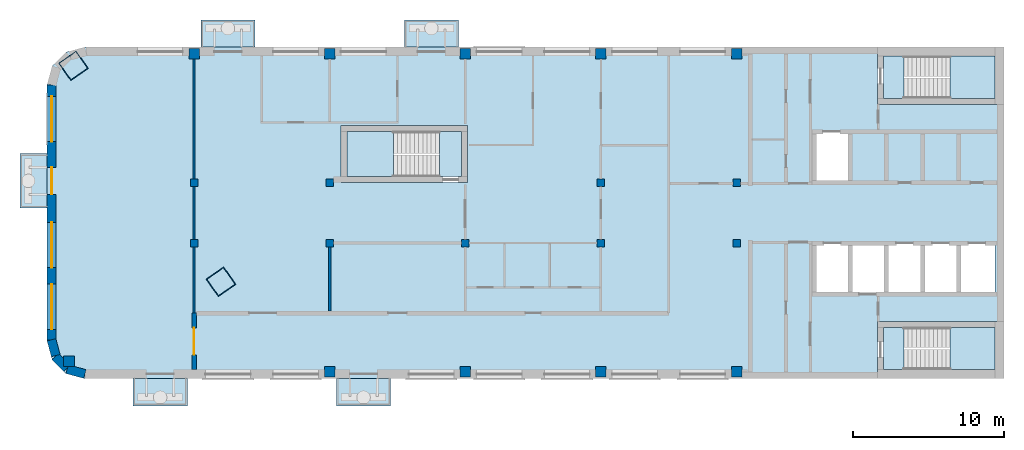
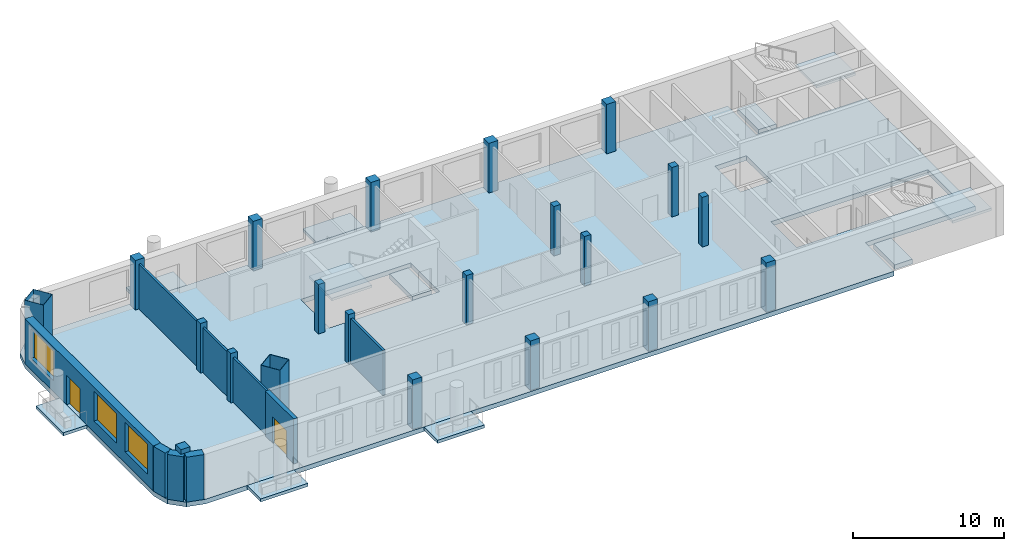
# One storey, part 1 of 8: 21 columns, 12 slabs, 7 walls, 3 windows, 2 doors, 5 openings, 3 elements without a shape of their own.
"""IFC4 building model written with IfcOpenShell, lengths in metres."""

from ifc_helpers import new_model, si_unit, direction, frame, frame_2d, origin, origin_2d, place, context, subcontext, project, spatial, polyline, rectangle, hollow_rectangle, outline, extrude, material, layer, layer_set, material_profile, profile_set, type_object, element, fill, aggregate, save


model = new_model("IFC4")

# Units and contexts
model_context = context("Model", 3, precision=1e-05, world=origin(), true_north=direction((0.0, 1.0)))
body_context = subcontext(model_context, "Body", "Model", "MODEL_VIEW")
ifc_project = project(units=[si_unit("LENGTHUNIT", "METRE"), si_unit("AREAUNIT", "SQUARE_METRE"), si_unit("VOLUMEUNIT", "CUBIC_METRE"), si_unit("PLANEANGLEUNIT", "RADIAN"), si_unit("MASSUNIT", "GRAM", prefix="KILO")], contexts=[model_context])

# Site, building, storey
site_placement = place(None, origin())
site = spatial("IfcSite", under=ifc_project, at=site_placement, CompositionType="ELEMENT")
building_placement = place(site_placement, origin())
building = spatial("IfcBuilding", under=site, at=building_placement, Name="Skarvind Civic Tower", CompositionType="ELEMENT")
storey_placement = place(building_placement, frame((0.0, 0.0, 253.5)))
storey = spatial("IfcBuildingStorey", under=building, at=storey_placement, Name="L60", CompositionType="ELEMENT", Elevation=253.5)

# Columns
ifc_material_1 = material(Name="Concrete C60", Category="concrete")
ifc_material_profile_1 = material_profile(ifc_material_1, rectangle(XDim=0.5, YDim=0.5, at=origin_2d()), Name="RC-500x500")
ifc_profile_set_1 = profile_set([ifc_material_profile_1], Name="Concrete C60")
column_type_1 = type_object("IfcColumnType", Name="Column RC-500x500 C60", PredefinedType="COLUMN", material=ifc_profile_set_1)
for number, where, z_axis, x_axis, name in (
    (1, (54.25, 130.0, 0.0), (0.0, 0.0, 1.0), (1.0, 0.0, 0.0), "Column wing 1 north inner 02 L60"),
    (2, (63.25, 130.0, 0.0), (0.0, 0.0, 1.0), (1.0, 0.0, 0.0), "Column wing 1 north inner 03 L60"),
    (3, (81.25, 130.0, 0.0), (0.0, 0.0, 1.0), (1.0, 0.0, 0.0), "Column wing 1 north inner 05 L60"),
    (4, (90.25, 130.0, 0.0), (0.0, 0.0, 1.0), (1.0, 0.0, 0.0), "Column wing 1 north inner 06 L60"),
    (5, (54.25, 126.0, 0.0), (0.0, 0.0, 1.0), (1.0, 0.0, 0.0), "Column wing 1 south inner 02 L60"),
    (6, (63.25, 126.0, 0.0), (0.0, 0.0, 1.0), (1.0, 0.0, 0.0), "Column wing 1 south inner 03 L60"),
    (7, (72.25, 126.0, 0.0), (0.0, 0.0, 1.0), (1.0, 0.0, 0.0), "Column wing 1 south inner 04 L60"),
    (8, (81.25, 126.0, 0.0), (0.0, 0.0, 1.0), (1.0, 0.0, 0.0), "Column wing 1 south inner 05 L60"),
    (9, (90.25, 126.0, 0.0), (0.0, 0.0, 1.0), (1.0, 0.0, 0.0), "Column wing 1 south inner 06 L60"),
):
    element("IfcColumn", number, at=place(storey_placement, frame(where, z_axis=z_axis, x_axis=x_axis)), inside=storey, type_object=column_type_1, Name=name, PredefinedType="COLUMN", context=body_context, shape_type="SweptSolid", body=[
        extrude(rectangle(XDim=0.5, YDim=0.5, at=origin_2d()), origin(), (0.0, 0.0, 1.0), 4.0),
    ])
ifc_material_profile_2 = material_profile(ifc_material_1, rectangle(XDim=0.699951171875, YDim=0.699951171875, at=origin_2d()), Name="RC-700x700")
ifc_profile_set_2 = profile_set([ifc_material_profile_2], Name="Concrete C60")
column_type_2 = type_object("IfcColumnType", Name="Column RC-700x700 C60", PredefinedType="COLUMN", material=ifc_profile_set_2)
for number, where, z_axis, x_axis, name in (
    (10, (54.25, 138.550048828125, 0.0), (0.0, 0.0, 1.0), (1.0, 0.0, 0.0), "Column wing 1 north perimeter 02 L60"),
    (11, (63.25, 138.550048828125, 0.0), (0.0, 0.0, 1.0), (1.0, 0.0, 0.0), "Column wing 1 north perimeter 03 L60"),
    (12, (72.25, 138.550048828125, 0.0), (0.0, 0.0, 1.0), (1.0, 0.0, 0.0), "Column wing 1 north perimeter 04 L60"),
    (13, (81.25, 138.550048828125, 0.0), (0.0, 0.0, 1.0), (1.0, 0.0, 0.0), "Column wing 1 north perimeter 05 L60"),
    (14, (90.25, 138.550048828125, 0.0), (0.0, 0.0, 1.0), (1.0, 0.0, 0.0), "Column wing 1 north perimeter 06 L60"),
    (15, (45.95166015625, 118.151611328125, 0.0), (0.0, 0.0, 1.0), (1.0, 0.0, 0.0), "Column wing 1 south perimeter 01 L60"),
    (16, (63.25, 117.449951171875, 0.0), (0.0, 0.0, 1.0), (1.0, 0.0, 0.0), "Column wing 1 south perimeter 03 L60"),
    (17, (72.25, 117.449951171875, 0.0), (0.0, 0.0, 1.0), (1.0, 0.0, 0.0), "Column wing 1 south perimeter 04 L60"),
    (18, (81.25, 117.449951171875, 0.0), (0.0, 0.0, 1.0), (1.0, 0.0, 0.0), "Column wing 1 south perimeter 05 L60"),
    (19, (90.25, 117.449951171875, 0.0), (0.0, 0.0, 1.0), (1.0, 0.0, 0.0), "Column wing 1 south perimeter 06 L60"),
):
    element("IfcColumn", number, at=place(storey_placement, frame(where, z_axis=z_axis, x_axis=x_axis)), inside=storey, type_object=column_type_2, Name=name, PredefinedType="COLUMN", context=body_context, shape_type="SweptSolid", body=[
        extrude(rectangle(XDim=0.699951171875, YDim=0.699951171875, at=origin_2d()), origin(), (0.0, 0.0, 1.0), 4.0),
    ])
ifc_material_2 = material(Name="Composite concrete-filled steel tube, Steel SM355 with Concrete C60", Category="concrete")
ifc_material_profile_3 = material_profile(ifc_material_2, hollow_rectangle(XDim=1.39990234375, YDim=1.39990234375, WallThickness=0.02490234375, at=origin_2d()), Name="BOX-1400x1400x25")
ifc_profile_set_3 = profile_set([ifc_material_profile_3], Name="Composite concrete-filled steel tube, Steel SM355 with Concrete C60")
column_type_3 = type_object("IfcColumnType", Name="Mega column BOX-1400x1400x25 filled C60", PredefinedType="COLUMN", material=ifc_profile_set_3)
for number, where, z_axis, x_axis, name in (
    (20, (46.2470703125, 137.762451171875, 0.0), (0.0, 0.0, 1.0), (0.573576436351, -0.819152044289, 0.0), "Mega column 2 L60"),
    (21, (56.0361328125, 123.43017578125, 0.0), (0.0, 0.0, 1.0), (0.573576436351, -0.819152044289, 0.0), "Mega column 4 L60"),
):
    element("IfcColumn", number, at=place(storey_placement, frame(where, z_axis=z_axis, x_axis=x_axis)), inside=storey, type_object=column_type_3, Name=name, PredefinedType="COLUMN", context=body_context, shape_type="SweptSolid", body=[
        extrude(hollow_rectangle(XDim=1.39990234375, YDim=1.39990234375, WallThickness=0.02490234375, at=origin_2d()), origin(), (0.0, 0.0, 1.0), 4.0),
    ])

# Slabs
ifc_material_3 = material(Name="Concrete C50", Category="concrete")
ifc_layer_1 = layer(ifc_material_3, 0.375)
ifc_layer_set_1 = layer_set([ifc_layer_1], Name="Floor slab 375 C50")
slab_type_1 = type_object("IfcSlabType", Name="Floor slab 375 C50", PredefinedType="FLOOR", material=ifc_layer_set_1)
slab_1_placement = place(storey_placement, frame((0.0, 0.0, -0.375)))
element("IfcSlab", 22, at=slab_1_placement, inside=storey, type_object=slab_type_1, Name="Floor slab L60 1", PredefinedType="FLOOR", context=body_context, shape_type="SweptSolid", body=[
    extrude(outline(polyline([(99.60009765625, 117.0), (99.60009765625, 120.800048828125), (108.0, 120.800048828125), (108.0, 135.199951171875), (99.60009765625, 135.199951171875), (99.60009765625, 139.0), (47.0, 139.0), (45.75, 138.6650390625), (44.8349609375, 137.75), (44.5, 136.5), (44.5, 119.5), (44.8349609375, 118.25), (45.75, 117.3349609375), (47.0, 117.0), (99.60009765625, 117.0)]), holes=[polyline([(95.39990234375, 126.0), (97.800048828125, 126.0), (100.199951171875, 126.0), (102.60009765625, 126.0), (105.0, 126.0), (107.39990234375, 126.0), (107.39990234375, 122.60009765625), (105.0, 122.60009765625), (102.60009765625, 122.60009765625), (100.199951171875, 122.60009765625), (97.800048828125, 122.60009765625), (95.39990234375, 122.60009765625), (95.39990234375, 126.0)]), polyline([(95.39990234375, 133.39990234375), (97.800048828125, 133.39990234375), (97.800048828125, 130.0), (95.39990234375, 130.0), (95.39990234375, 133.39990234375)]), polyline([(64.0, 130.0), (64.0, 133.800048828125), (72.39990234375, 133.800048828125), (72.39990234375, 130.0), (64.0, 130.0)])]), origin(), (0.0, 0.0, 1.0), 0.375),
])
ifc_material_4 = material(Name="Precast concrete C40/50", Category="concrete")
ifc_layer_2 = layer(ifc_material_4, 0.25)
ifc_layer_set_2 = layer_set([ifc_layer_2], Name="SX3 BALCONY SLAB 250")
slab_type_2 = type_object("IfcSlabType", Name="SX3 BALCONY SLAB 250", PredefinedType="FLOOR", material=ifc_layer_set_2)
slab_2_placement = place(storey_placement, frame((0.0, 0.0, -0.25)))
element("IfcSlab", 23, at=slab_2_placement, inside=storey, type_object=slab_type_2, Name="TREE BALCONY SLAB", PredefinedType="FLOOR", context=body_context, shape_type="SweptSolid", body=[
    extrude(outline(polyline([(54.699951171875, 139.0), (58.300048828125, 139.0), (58.300048828125, 140.800048828125), (54.699951171875, 140.800048828125), (54.699951171875, 139.0)])), origin(), (0.0, 0.0, 1.0), 0.25),
])
slab_3_placement = place(storey_placement, frame((0.0, 0.0, -0.25)))
element("IfcSlab", 24, at=slab_3_placement, inside=storey, type_object=slab_type_2, Name="TREE BALCONY SLAB", PredefinedType="FLOOR", context=body_context, shape_type="SweptSolid", body=[
    extrude(outline(polyline([(68.199951171875, 139.0), (71.800048828125, 139.0), (71.800048828125, 140.800048828125), (68.199951171875, 140.800048828125), (68.199951171875, 139.0)])), origin(), (0.0, 0.0, 1.0), 0.25),
])
slab_4_placement = place(storey_placement, frame((0.0, 0.0, -0.25)))
element("IfcSlab", 25, at=slab_4_placement, inside=storey, type_object=slab_type_2, Name="TREE BALCONY SLAB", PredefinedType="FLOOR", context=body_context, shape_type="SweptSolid", body=[
    extrude(outline(polyline([(44.5, 128.324951171875), (44.5, 131.925048828125), (42.699951171875, 131.925048828125), (42.699951171875, 128.324951171875), (44.5, 128.324951171875)])), origin(), (0.0, 0.0, 1.0), 0.25),
])
slab_5_placement = place(storey_placement, frame((0.0, 0.0, -0.25)))
element("IfcSlab", 26, at=slab_5_placement, inside=storey, type_object=slab_type_2, Name="TREE BALCONY SLAB", PredefinedType="FLOOR", context=body_context, shape_type="SweptSolid", body=[
    extrude(outline(polyline([(67.300048828125, 117.0), (63.699951171875, 117.0), (63.699951171875, 115.199951171875), (67.300048828125, 115.199951171875), (67.300048828125, 117.0)])), origin(), (0.0, 0.0, 1.0), 0.25),
])
slab_6_placement = place(storey_placement, frame((0.0, 0.0, -0.25)))
element("IfcSlab", 27, at=slab_6_placement, inside=storey, type_object=slab_type_2, Name="TREE BALCONY SLAB", PredefinedType="FLOOR", context=body_context, shape_type="SweptSolid", body=[
    extrude(outline(polyline([(53.800048828125, 117.0), (50.199951171875, 117.0), (50.199951171875, 115.199951171875), (53.800048828125, 115.199951171875), (53.800048828125, 117.0)])), origin(), (0.0, 0.0, 1.0), 0.25),
])
ifc_material_5 = material(Name="Concrete C40/50", Category="concrete")
ifc_layer_3 = layer(ifc_material_5, 0.375)
ifc_layer_set_3 = layer_set([ifc_layer_3], Name="Stair floor landing slab 375")
slab_type_3 = type_object("IfcSlabType", Name="Stair floor landing slab 375", PredefinedType="LANDING", material=ifc_layer_set_3)
slab_7_placement = place(storey_placement, frame((0.0, 0.0, -0.375)))
element("IfcSlab", 28, at=slab_7_placement, inside=storey, type_object=slab_type_3, Name="Stair floor landing", PredefinedType="LANDING", context=body_context, shape_type="SweptSolid", body=[
    extrude(outline(polyline([(101.3505859375, 138.400634765625), (101.3505859375, 135.599365234375), (99.99951171875, 135.599365234375), (99.99951171875, 138.400634765625), (101.3505859375, 138.400634765625)])), origin(), (0.0, 0.0, 1.0), 0.375),
])
slab_8_placement = place(storey_placement, frame((0.0, 0.0, -0.375)))
element("IfcSlab", 29, at=slab_8_placement, inside=storey, type_object=slab_type_3, Name="Stair floor landing", PredefinedType="LANDING", context=body_context, shape_type="SweptSolid", body=[
    extrude(outline(polyline([(101.3505859375, 120.400634765625), (101.3505859375, 117.599365234375), (99.99951171875, 117.599365234375), (99.99951171875, 120.400634765625), (101.3505859375, 120.400634765625)])), origin(), (0.0, 0.0, 1.0), 0.375),
])
slab_9_placement = place(storey_placement, frame((0.0, 0.0, -0.375)))
element("IfcSlab", 30, at=slab_9_placement, inside=storey, type_object=slab_type_3, Name="Stair floor landing", PredefinedType="LANDING", context=body_context, shape_type="SweptSolid", body=[
    extrude(outline(polyline([(70.54931640625, 130.3994140625), (70.54931640625, 133.400634765625), (72.00048828125, 133.400634765625), (72.00048828125, 130.3994140625), (70.54931640625, 130.3994140625)])), origin(), (0.0, 0.0, 1.0), 0.375),
])

# Stair, slab
stair_type_1 = type_object("IfcStairType", Name="Exit stair, half-turn, concrete", PredefinedType="HALF_TURN_STAIR", material=ifc_material_5)
stair_1_placement = place(storey_placement, origin())
stair_1 = element("IfcStair", 31, at=stair_1_placement, inside=storey, type_object=stair_type_1, Name="Exit stair C1S", PredefinedType="HALF_TURN_STAIR")
ifc_layer_4 = layer(ifc_material_5, 0.199951171875)
ifc_layer_set_4 = layer_set([ifc_layer_4], Name="Stair half landing slab")
slab_type_4 = type_object("IfcSlabType", Name="Stair half landing slab", PredefinedType="LANDING", material=ifc_layer_set_4)
slab_10_placement = place(storey_placement, frame((0.0, 0.0, 1.800048828125)))
slab_10 = element("IfcSlab", 32, at=slab_10_placement, type_object=slab_type_4, Name="ST-C1S landing 1", PredefinedType="LANDING", context=body_context, shape_type="SweptSolid", body=[
    extrude(outline(polyline([(104.429443359375, 135.599365234375), (104.429443359375, 138.400634765625), (107.400634765625, 138.400634765625), (107.400634765625, 135.599365234375), (104.429443359375, 135.599365234375)])), origin(), (0.0, 0.0, 1.0), 0.199951171875),
])
aggregate(stair_1, [slab_10])

stair_2_placement = place(storey_placement, origin())
stair_2 = element("IfcStair", 33, at=stair_2_placement, inside=storey, type_object=stair_type_1, Name="Exit stair C1N", PredefinedType="HALF_TURN_STAIR")
slab_11_placement = place(storey_placement, frame((0.0, 0.0, 1.800048828125)))
slab_11 = element("IfcSlab", 34, at=slab_11_placement, type_object=slab_type_4, Name="ST-C1N landing 1", PredefinedType="LANDING", context=body_context, shape_type="SweptSolid", body=[
    extrude(outline(polyline([(104.429443359375, 117.599365234375), (104.429443359375, 120.400634765625), (107.400634765625, 120.400634765625), (107.400634765625, 117.599365234375), (104.429443359375, 117.599365234375)])), origin(), (0.0, 0.0, 1.0), 0.199951171875),
])
aggregate(stair_2, [slab_11])

stair_type_2 = type_object("IfcStairType", Name="Exit stair 1450, half-turn, concrete", PredefinedType="HALF_TURN_STAIR", material=ifc_material_5)
stair_3_placement = place(storey_placement, origin())
stair_3 = element("IfcStair", 35, at=stair_3_placement, inside=storey, type_object=stair_type_2, Name="Exit stair CM", PredefinedType="HALF_TURN_STAIR")
slab_12_placement = place(storey_placement, frame((0.0, 0.0, 1.800048828125)))
slab_12 = element("IfcSlab", 36, at=slab_12_placement, type_object=slab_type_4, Name="ST-CM landing 1", PredefinedType="LANDING", context=body_context, shape_type="SweptSolid", body=[
    extrude(outline(polyline([(67.470703125, 133.400634765625), (67.470703125, 130.3994140625), (64.3994140625, 130.3994140625), (64.3994140625, 133.400634765625), (67.470703125, 133.400634765625)])), origin(), (0.0, 0.0, 1.0), 0.199951171875),
])
aggregate(stair_3, [slab_12])

# Wall
ifc_material_6 = material(Name="Acoustic gypsum board on steel studs", Category="steel")
ifc_layer_5 = layer(ifc_material_6, 0.175048828125)
ifc_layer_set_5 = layer_set([ifc_layer_5], Name="ACOUSTIC MEETING-ROOM PARTITION 175")
wall_type_1 = type_object("IfcWallType", Name="ACOUSTIC MEETING-ROOM PARTITION 175", PredefinedType="PARTITIONING", material=ifc_layer_set_5)
wall_1_placement = place(storey_placement, frame((63.25, 125.912109375, 0.0), z_axis=(0.0, 0.0, 1.0), x_axis=(0.0, -1.0, 0.0)))
element("IfcWall", 37, at=wall_1_placement, inside=storey, type_object=wall_type_1, Name="Partition 60.006", PredefinedType="PARTITIONING", context=body_context, shape_type="SweptSolid", body=[
    extrude(rectangle(XDim=4.412109375, YDim=0.175048828125, at=frame_2d((2.2060546875, 0.0))), origin(), (0.0, 0.0, 1.0), 3.625),
])

# Wall, opening, door
ifc_material_7 = material(Name="Fire-rated gypsum board on steel studs", Category="steel")
ifc_layer_6 = layer(ifc_material_7, 0.300048828125)
ifc_layer_set_6 = layer_set([ifc_layer_6], Name="CORRIDOR WALL 300")
wall_type_2 = type_object("IfcWallType", Name="CORRIDOR WALL 300", PredefinedType="PARTITIONING", material=ifc_layer_set_6)
wall_2_placement = place(storey_placement, frame((54.25, 117.60009765625, 0.0), z_axis=(0.0, 0.0, 1.0), x_axis=(0.0, 1.0, 0.0)))
wall_2 = element("IfcWall", 38, at=wall_2_placement, inside=storey, type_object=wall_type_2, Name="Partition 60.001", PredefinedType="PARTITIONING", context=body_context, shape_type="SweptSolid", body=[
    extrude(rectangle(XDim=3.75, YDim=0.300048828125, at=frame_2d((1.875, 0.0))), origin(), (0.0, 0.0, 1.0), 3.625),
])
opening_1_placement = place(wall_2_placement, frame((0.9765625, 0.0, 0.0)))
opening_1 = element("IfcOpeningElement", 39, at=opening_1_placement, cuts=wall_2, Name="Opening L60-D013", PredefinedType="OPENING", context=body_context, shape_type="SweptSolid", body=[
    extrude(rectangle(XDim=1.800048828125, YDim=2.10009765625, at=frame_2d((0.89990234375, 1.050048828125))), frame((0.0, 0.159912109375, 0.0), z_axis=(0.0, -1.0, 0.0), x_axis=(1.0, 0.0, 0.0)), (0.0, 0.0, 1.0), 0.320068359375),
])
ifc_material_8 = material(Name="Fire-rated timber door leaf", Category="wood")
door_type_1 = type_object("IfcDoorType", Name="FD4 1800x2100", OperationType="NOTDEFINED", PredefinedType="DOOR", material=ifc_material_8)
door_1_placement = place(opening_1_placement, origin())
door_1 = element("IfcDoor", 40, at=door_1_placement, inside=storey, type_object=door_type_1, Name="Door L60-D013", OperationType="DOUBLE_DOOR_SINGLE_SWING", OverallHeight=2.10009765625, OverallWidth=1.800048828125, PredefinedType="DOOR", context=body_context, shape_type="SweptSolid", body=[
    extrude(rectangle(XDim=1.800048828125, YDim=2.10009765625, at=frame_2d((0.89990234375, 1.050048828125))), frame((0.0, 0.02490234375, 0.0), z_axis=(0.0, -1.0, 0.0), x_axis=(1.0, 0.0, 0.0)), (0.0, 0.0, 1.0), 0.050048828125),
])
fill(opening_1, door_1)

# Wall
ifc_material_9 = material(Name="Plasterboard partition on steel studs", Category="steel")
ifc_layer_7 = layer(ifc_material_9, 0.14990234375)
ifc_layer_set_7 = layer_set([ifc_layer_7], Name="PARTITION 150")
wall_type_3 = type_object("IfcWallType", Name="PARTITION 150", PredefinedType="PARTITIONING", material=ifc_layer_set_7)
wall_3_placement = place(storey_placement, frame((54.25, 138.39990234375, 0.0), z_axis=(0.0, 0.0, 1.0), x_axis=(0.0, -1.0, 0.0)))
element("IfcWall", 41, at=wall_3_placement, inside=storey, type_object=wall_type_3, Name="Partition 60.003", PredefinedType="PARTITIONING", context=body_context, shape_type="SweptSolid", body=[
    extrude(rectangle(XDim=17.0498046875, YDim=0.14990234375, at=frame_2d((8.52490234375, 0.0))), origin(), (0.0, 0.0, 1.0), 3.625),
])

# Wall, openings, door, windows
ifc_material_10 = material(Name="Standing-seam zinc cladding on insulated backing")
ifc_layer_8 = layer(ifc_material_10, 0.60009765625)
ifc_layer_set_8 = layer_set([ifc_layer_8], Name="WX2 ZINC-CLAD FACADE WALL 600")
wall_type_4 = type_object("IfcWallType", Name="WX2 ZINC-CLAD FACADE WALL 600", PredefinedType="SOLIDWALL", material=ifc_layer_set_8)
wall_4_placement = place(storey_placement, frame((44.800048828125, 119.570068359375, 0.0), z_axis=(0.0, 0.0, 1.0), x_axis=(0.0, 1.0, 0.0)))
wall_4 = element("IfcWall", 42, at=wall_4_placement, inside=storey, type_object=wall_type_4, Name="ZINC-CLAD FACADE WALL", PredefinedType="SOLIDWALL", context=body_context, shape_type="SweptSolid", body=[
    extrude(rectangle(XDim=16.929931640625, YDim=0.60009765625, at=frame_2d((8.46484375, 0.0))), origin(), (0.0, 0.0, 1.0), 3.625),
])
opening_2_placement = place(wall_4_placement, frame((0.705078125, 0.0, 0.89990234375)))
opening_2 = element("IfcOpeningElement", 43, at=opening_2_placement, cuts=wall_4, Name="Opening WN4", PredefinedType="OPENING", context=body_context, shape_type="SweptSolid", body=[
    extrude(rectangle(XDim=3.0, YDim=2.39990234375, at=frame_2d((1.5, 1.199951171875))), frame((0.0, 0.31005859375, 0.0), z_axis=(0.0, -1.0, 0.0), x_axis=(1.0, 0.0, 0.0)), (0.0, 0.0, 1.0), 0.6201171875),
])
opening_3_placement = place(wall_4_placement, frame((4.804931640625, 0.0, 0.89990234375)))
opening_3 = element("IfcOpeningElement", 44, at=opening_3_placement, cuts=wall_4, Name="Opening WN4", PredefinedType="OPENING", context=body_context, shape_type="SweptSolid", body=[
    extrude(rectangle(XDim=3.0, YDim=2.39990234375, at=frame_2d((1.5, 1.199951171875))), frame((0.0, 0.31005859375, 0.0), z_axis=(0.0, -1.0, 0.0), x_axis=(1.0, 0.0, 0.0)), (0.0, 0.0, 1.0), 0.6201171875),
])
opening_4_placement = place(wall_4_placement, frame((9.655029296875, 0.0, 0.0)))
opening_4 = element("IfcOpeningElement", 45, at=opening_4_placement, cuts=wall_4, Name="Opening DX3", PredefinedType="OPENING", context=body_context, shape_type="SweptSolid", body=[
    extrude(rectangle(XDim=1.800048828125, YDim=2.39990234375, at=frame_2d((0.89990234375, 1.199951171875))), frame((0.0, 0.31005859375, 0.0), z_axis=(0.0, -1.0, 0.0), x_axis=(1.0, 0.0, 0.0)), (0.0, 0.0, 1.0), 0.6201171875),
])
opening_5_placement = place(wall_4_placement, frame((13.155029296875, 0.0, 0.89990234375)))
opening_5 = element("IfcOpeningElement", 46, at=opening_5_placement, cuts=wall_4, Name="Opening WN4", PredefinedType="OPENING", context=body_context, shape_type="SweptSolid", body=[
    extrude(rectangle(XDim=3.0, YDim=2.39990234375, at=frame_2d((1.5, 1.199951171875))), frame((0.0, 0.31005859375, 0.0), z_axis=(0.0, -1.0, 0.0), x_axis=(1.0, 0.0, 0.0)), (0.0, 0.0, 1.0), 0.6201171875),
])
ifc_material_11 = material(Name="Timber and glass doorset", Category="wood")
door_type_2 = type_object("IfcDoorType", Name="DX3 TERRACE DOORS 1800 x 2400", OperationType="NOTDEFINED", PredefinedType="DOOR", material=ifc_material_11)
door_2_placement = place(opening_4_placement, origin())
door_2 = element("IfcDoor", 47, at=door_2_placement, inside=storey, type_object=door_type_2, Name="TERRACE DOORS", OperationType="DOUBLE_DOOR_SINGLE_SWING", OverallHeight=2.39990234375, OverallWidth=1.800048828125, PredefinedType="DOOR", context=body_context, shape_type="SweptSolid", body=[
    extrude(rectangle(XDim=1.800048828125, YDim=2.39990234375, at=frame_2d((0.89990234375, 1.199951171875))), frame((0.0, 0.02490234375, 0.0), z_axis=(0.0, -1.0, 0.0), x_axis=(1.0, 0.0, 0.0)), (0.0, 0.0, 1.0), 0.050048828125),
])
fill(opening_4, door_2)
ifc_material_12 = material(Name="Timber frame, double glazing, copper-lined reveal", Category="wood")
window_type = type_object("IfcWindowType", Name="WN4 COPPER-LINED WINDOW 3000 x 2400", PartitioningType="SINGLE_PANEL", PredefinedType="WINDOW", material=ifc_material_12)
window_1_placement = place(opening_2_placement, origin())
window_1 = element("IfcWindow", 48, at=window_1_placement, inside=storey, type_object=window_type, Name="WN4 WINDOW", OverallHeight=2.39990234375, OverallWidth=3.0, PartitioningType="SINGLE_PANEL", PredefinedType="WINDOW", context=body_context, shape_type="SweptSolid", body=[
    extrude(rectangle(XDim=3.0, YDim=2.39990234375, at=frame_2d((1.5, 1.199951171875))), frame((0.0, 0.030029296875, 0.0), z_axis=(0.0, -1.0, 0.0), x_axis=(1.0, 0.0, 0.0)), (0.0, 0.0, 1.0), 0.06005859375),
])
fill(opening_2, window_1)
window_2_placement = place(opening_3_placement, origin())
window_2 = element("IfcWindow", 49, at=window_2_placement, inside=storey, type_object=window_type, Name="WN4 WINDOW", OverallHeight=2.39990234375, OverallWidth=3.0, PartitioningType="SINGLE_PANEL", PredefinedType="WINDOW", context=body_context, shape_type="SweptSolid", body=[
    extrude(rectangle(XDim=3.0, YDim=2.39990234375, at=frame_2d((1.5, 1.199951171875))), frame((0.0, 0.030029296875, 0.0), z_axis=(0.0, -1.0, 0.0), x_axis=(1.0, 0.0, 0.0)), (0.0, 0.0, 1.0), 0.06005859375),
])
fill(opening_3, window_2)
window_3_placement = place(opening_5_placement, origin())
window_3 = element("IfcWindow", 50, at=window_3_placement, inside=storey, type_object=window_type, Name="WN4 WINDOW", OverallHeight=2.39990234375, OverallWidth=3.0, PartitioningType="SINGLE_PANEL", PredefinedType="WINDOW", context=body_context, shape_type="SweptSolid", body=[
    extrude(rectangle(XDim=3.0, YDim=2.39990234375, at=frame_2d((1.5, 1.199951171875))), frame((0.0, 0.030029296875, 0.0), z_axis=(0.0, -1.0, 0.0), x_axis=(1.0, 0.0, 0.0)), (0.0, 0.0, 1.0), 0.06005859375),
])
fill(opening_5, window_3)

# Walls
wall_5_placement = place(storey_placement, frame((45.0703125, 118.530517578125, 0.0), z_axis=(0.0, 0.0, 1.0), x_axis=(-0.25876985698, 0.965939004864, 0.0)))
element("IfcWall", 51, at=wall_5_placement, inside=storey, type_object=wall_type_4, Name="ZINC-CLAD FACADE WALL", PredefinedType="SOLIDWALL", context=body_context, shape_type="SweptSolid", body=[
    extrude(rectangle(XDim=1.083984375, YDim=0.60009765625, at=frame_2d((0.5419921875, 0.0))), origin(), (0.0, 0.0, 1.0), 3.625),
])
wall_6_placement = place(storey_placement, frame((45.813720703125, 117.695556640625, 0.0), z_axis=(0.0, 0.0, 1.0), x_axis=(-0.707106781187, 0.707106781187, 0.0)))
element("IfcWall", 52, at=wall_6_placement, inside=storey, type_object=wall_type_4, Name="ZINC-CLAD FACADE WALL", PredefinedType="SOLIDWALL", context=body_context, shape_type="SweptSolid", body=[
    extrude(rectangle(XDim=1.084228515625, YDim=0.60009765625, at=frame_2d((0.5419921875, 0.0))), origin(), (0.0, 0.0, 1.0), 3.625),
])
wall_7_placement = place(storey_placement, frame((47.010009765625, 117.307861328125, 0.0), z_axis=(0.0, 0.0, 1.0), x_axis=(-0.965909766102, 0.258878975098, 0.0)))
element("IfcWall", 53, at=wall_7_placement, inside=storey, type_object=wall_type_4, Name="ZINC-CLAD FACADE WALL", PredefinedType="SOLIDWALL", context=body_context, shape_type="SweptSolid", body=[
    extrude(rectangle(XDim=1.22412109375, YDim=0.60009765625, at=frame_2d((0.612060546875, 0.0))), origin(), (0.0, 0.0, 1.0), 3.625),
])

save(model, "model.ifc")
